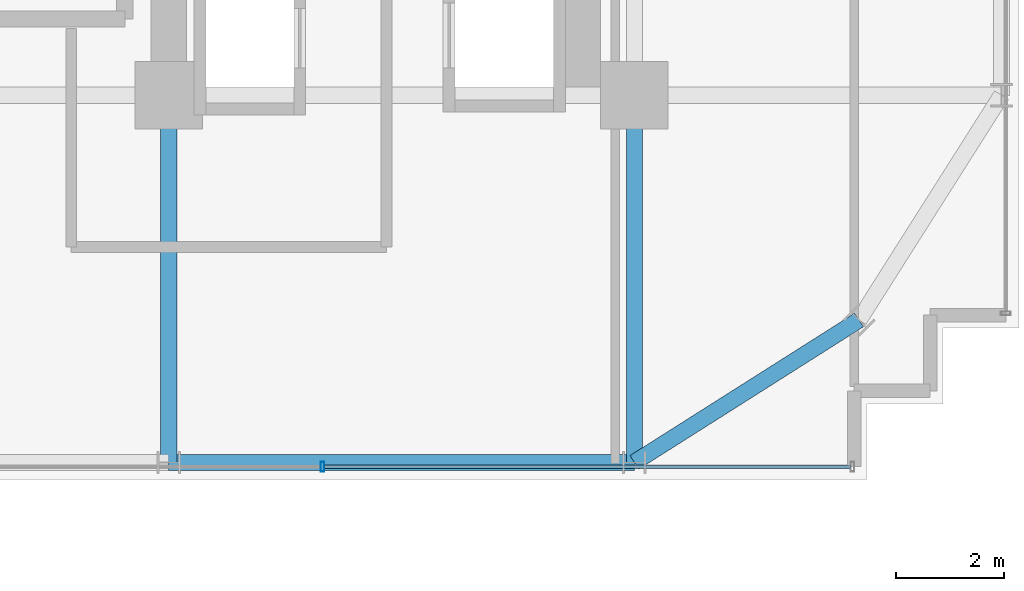
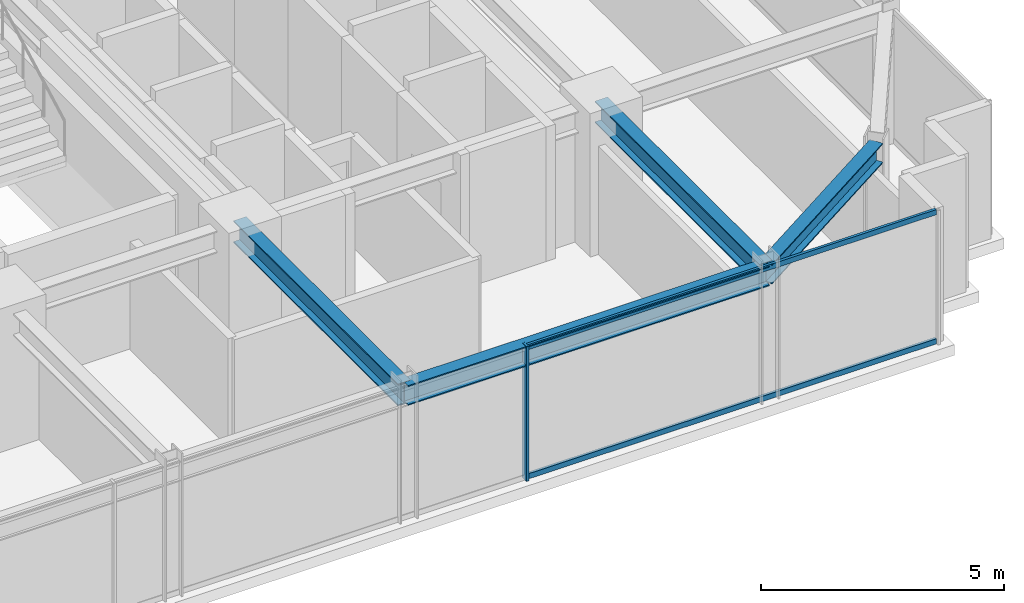
# One storey, part 11 of 32: 4 beams, 3 members, 1 element without a shape of its own.
"""IFC4 building model written with IfcOpenShell, lengths in metres."""

from ifc_helpers import new_model, si_unit, direction, frame, origin, origin_2d, place, context, subcontext, project, spatial, hollow_rectangle, i_section, extrude, source, transform, mapped, material, material_profile, profile_set, type_object, element, aggregate, save


model = new_model("IFC4")

# Units and contexts
model_context = context("Model", 3, precision=1e-05, world=origin(), true_north=direction((0.0, 1.0)))
body_context = subcontext(model_context, "Body", "Model", "MODEL_VIEW")
ifc_project = project(units=[si_unit("LENGTHUNIT", "METRE"), si_unit("AREAUNIT", "SQUARE_METRE"), si_unit("VOLUMEUNIT", "CUBIC_METRE"), si_unit("PLANEANGLEUNIT", "RADIAN"), si_unit("MASSUNIT", "GRAM", prefix="KILO")], contexts=[model_context])

# Site, building, storey
site_placement = place(None, origin())
site = spatial("IfcSite", under=ifc_project, at=site_placement, CompositionType="ELEMENT")
building_placement = place(site_placement, origin())
building = spatial("IfcBuilding", under=site, at=building_placement, Name="Nahalor Promenade Grand Hotel", CompositionType="ELEMENT")
storey_placement = place(building_placement, frame((0.0, 0.0, 124.800048828125)))
storey = spatial("IfcBuildingStorey", under=building, at=storey_placement, Name="L31", CompositionType="ELEMENT", Elevation=124.800048828125)

# Beams
ifc_material_1 = material(Name="Steel S355JR", Category="steel")
ifc_material_profile_1 = material_profile(ifc_material_1, i_section(OverallWidth=0.3, OverallDepth=0.5, WebThickness=0.0145, FlangeThickness=0.028, at=origin_2d()), Name="HEB 500")
ifc_profile_set_1 = profile_set([ifc_material_profile_1], Name="Steel S355JR")
beam_type_1 = type_object("IfcBeamType", Name="Beam-Spandrel-HEB500", PredefinedType="SPANDREL", material=ifc_profile_set_1)
shared_shape_1 = source(origin(), body_context, "Body", "SweptSolid", [
    extrude(i_section(OverallWidth=0.3, OverallDepth=0.5, WebThickness=0.0145, FlangeThickness=0.028, at=origin_2d()), origin(), (0.0, 0.0, 1.0), 8.60009765625),
])
beam_1_placement = place(storey_placement, frame((8.39990234375, -23.780029296875, 3.1298828125), z_axis=(1.0, 0.0, 0.0), x_axis=(0.0, 1.0, 0.0)))
element("IfcBeam", 1, at=beam_1_placement, inside=storey, type_object=beam_type_1, Name="BM-L31-SP-S-4", PredefinedType="SPANDREL", context=body_context, shape_type="MappedRepresentation", body=[
    mapped(shared_shape_1, transform((0.0, 0.0, 0.0), scale=1.0)),
])
shared_shape_2 = source(origin(), body_context, "Body", "SweptSolid", [
    extrude(i_section(OverallWidth=0.3, OverallDepth=0.5, WebThickness=0.0145, FlangeThickness=0.028, at=origin_2d()), origin(), (0.0, 0.0, 1.0), 4.9130859375),
])
beam_2_placement = place(storey_placement, frame((17.0, -23.780029296875, 3.1298828125), z_axis=(0.844648325505, 0.535321591403, 0.0), x_axis=(-0.535321591403, 0.844648325505, 0.0)))
element("IfcBeam", 2, at=beam_2_placement, inside=storey, type_object=beam_type_1, Name="BM-L31-SPC-SE-1", PredefinedType="SPANDREL", context=body_context, shape_type="MappedRepresentation", body=[
    mapped(shared_shape_2, transform((0.0, 0.0, 0.0), scale=1.0)),
])
ifc_material_profile_2 = material_profile(ifc_material_1, i_section(OverallWidth=0.3, OverallDepth=0.55, WebThickness=0.015, FlangeThickness=0.029, at=origin_2d()), Name="HEB 550")
ifc_profile_set_2 = profile_set([ifc_material_profile_2], Name="Steel S355JR")
beam_type_2 = type_object("IfcBeamType", Name="Beam-Girder-HEB550", PredefinedType="BEAM", material=ifc_profile_set_2)
shared_shape_3 = source(origin(), body_context, "Body", "SweptSolid", [
    extrude(i_section(OverallWidth=0.3, OverallDepth=0.55, WebThickness=0.015, FlangeThickness=0.029, at=origin_2d()), origin(), (0.0, 0.0, 1.0), 6.780029296875),
])
for number, where, z_axis, x_axis, name in (
    (3, (8.39990234375, -23.780029296875, 3.10498046875), (0.0, 1.0, 0.0), (-1.0, 0.0, 0.0), "BM-L31-GY-4-0"),
    (4, (17.0, -23.780029296875, 3.10498046875), (0.0, 1.0, 0.0), (-1.0, 0.0, 0.0), "BM-L31-GY-5-0"),
):
    element("IfcBeam", number, at=place(storey_placement, frame(where, z_axis=z_axis, x_axis=x_axis)), inside=storey, type_object=beam_type_2, Name=name, PredefinedType="BEAM", context=body_context, shape_type="MappedRepresentation", body=[
        mapped(shared_shape_3, transform((0.0, 0.0, 0.0), scale=1.0)),
    ])

# Curtain wall, members
ifc_material_2 = material(Name="Anodised Bronze Aluminium EN AW-6063 T6", Category="aluminium")
curtain_wall_type = type_object("IfcCurtainWallType", Name="CW2 Typical Hotel Flush Bronze Unitised Curtain Wall", PredefinedType="USERDEFINED", material=ifc_material_2)
curtain_wall_placement = place(storey_placement, origin())
curtain_wall = element("IfcCurtainWall", 5, at=curtain_wall_placement, inside=storey, type_object=curtain_wall_type, Name="L31 Curtain Wall CW-L31-S-3", ObjectType="UNITISED_CURTAIN_WALL", PredefinedType="USERDEFINED")
ifc_material_profile_3 = material_profile(ifc_material_2, hollow_rectangle(XDim=0.065, YDim=0.18, WallThickness=0.004, at=origin_2d()), Name="CWM 65x180x4")
ifc_profile_set_3 = profile_set([ifc_material_profile_3], Name="Anodised Bronze Aluminium EN AW-6063 T6")
member_type_1 = type_object("IfcMemberType", Name="CWM2 Typical Bronze Mullion 65x180", PredefinedType="MULLION", material=ifc_profile_set_3)
shared_shape_4 = source(origin(), body_context, "Body", "SweptSolid", [
    extrude(hollow_rectangle(XDim=0.065, YDim=0.18, WallThickness=0.004, at=origin_2d()), origin(), (0.0, 0.0, 1.0), 3.3798828125),
])
member_1_placement = place(storey_placement, frame((11.239990234375, -23.860107421875, 0.0), z_axis=(0.0, 0.0, 1.0), x_axis=(1.0, 0.0, 0.0)))
member_1 = element("IfcMember", 6, at=member_1_placement, type_object=member_type_1, Name="CW-L31-S-3 Mullion 2", PredefinedType="MULLION", context=body_context, shape_type="MappedRepresentation", body=[
    mapped(shared_shape_4, transform((0.0, 0.0, 0.0), scale=1.0)),
])
ifc_material_profile_4 = material_profile(ifc_material_2, hollow_rectangle(XDim=0.065, YDim=0.13, WallThickness=0.004, at=origin_2d()), Name="CWT 65x130x4")
ifc_profile_set_4 = profile_set([ifc_material_profile_4], Name="Anodised Bronze Aluminium EN AW-6063 T6")
member_type_2 = type_object("IfcMemberType", Name="CWT2 Typical Bronze Transom 65x130", PredefinedType="USERDEFINED", material=ifc_profile_set_4)
shared_shape_5 = source(origin(), body_context, "Body", "SweptSolid", [
    extrude(hollow_rectangle(XDim=0.065, YDim=0.13, WallThickness=0.004, at=origin_2d()), origin(), (0.0, 0.0, 1.0), 9.72265625),
])
member_2_placement = place(storey_placement, frame((11.2724609375, -23.860107421875, 0.06494140625), z_axis=(1.0, 0.0, 0.0), x_axis=(0.0, 1.0, 0.0)))
member_2 = element("IfcMember", 7, at=member_2_placement, type_object=member_type_2, Name="CW-L31-S-3 Transom 2-0", ObjectType="TRANSOM", PredefinedType="USERDEFINED", context=body_context, shape_type="MappedRepresentation", body=[
    mapped(shared_shape_5, transform((0.0, 0.0, 0.0), scale=1.0)),
])
member_3_placement = place(storey_placement, frame((11.2724609375, -23.860107421875, 3.31494140625), z_axis=(1.0, 0.0, 0.0), x_axis=(0.0, 1.0, 0.0)))
member_3 = element("IfcMember", 8, at=member_3_placement, type_object=member_type_2, Name="CW-L31-S-3 Transom 2-1", ObjectType="TRANSOM", PredefinedType="USERDEFINED", context=body_context, shape_type="MappedRepresentation", body=[
    mapped(shared_shape_5, transform((0.0, 0.0, 0.0), scale=1.0)),
])
aggregate(curtain_wall, [member_1, member_2, member_3])

save(model, "model.ifc")
